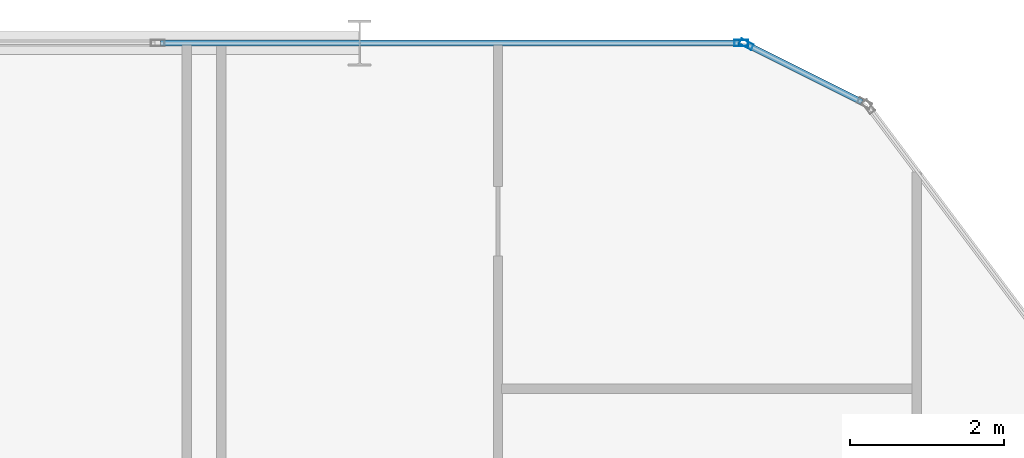
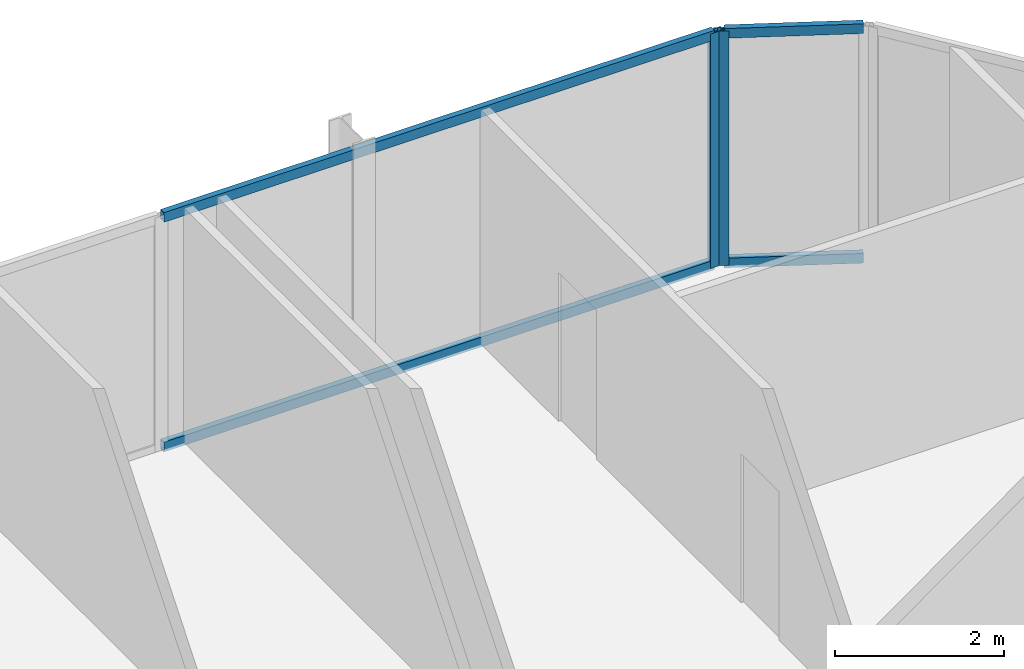
# One storey, part 20 of 30: 6 members, 2 elements without a shape of their own.
"""IFC4 building model written with IfcOpenShell, lengths in metres."""

from ifc_helpers import new_model, si_unit, direction, frame, origin, origin_2d, place, context, subcontext, project, spatial, hollow_rectangle, extrude, material, layer, layer_set, material_profile, profile_set, type_object, element, aggregate, save


model = new_model("IFC4")

# Units and contexts
model_context = context("Model", 3, precision=1e-05, world=origin(), true_north=direction((0.0, 1.0)))
body_context = subcontext(model_context, "Body", "Model", "MODEL_VIEW")
ifc_project = project(units=[si_unit("LENGTHUNIT", "METRE"), si_unit("AREAUNIT", "SQUARE_METRE"), si_unit("VOLUMEUNIT", "CUBIC_METRE"), si_unit("PLANEANGLEUNIT", "RADIAN"), si_unit("MASSUNIT", "GRAM", prefix="KILO")], contexts=[model_context])

# Site, building, storey
site_placement = place(None, origin())
site = spatial("IfcSite", under=ifc_project, at=site_placement, CompositionType="ELEMENT")
building_placement = place(site_placement, origin())
building = spatial("IfcBuilding", under=site, at=building_placement, Name="Keshet Zoharim Tower", CompositionType="ELEMENT")
storey_placement = place(building_placement, frame((0.0, 0.0, 113.10009765625)))
storey = spatial("IfcBuildingStorey", under=building, at=storey_placement, Name="L27", CompositionType="ELEMENT", Elevation=113.10009765625)

# Curtain wall, member
ifc_material = material(Name="Aluminium 6063-T6", Category="aluminium")
ifc_layer = layer(ifc_material, 0.159912109375)
ifc_layer_set = layer_set([ifc_layer], Name="Aluminium 6063-T6")
curtain_wall_type = type_object("IfcCurtainWallType", Name="CW-SYS-03", PredefinedType="NOTDEFINED", material=ifc_layer_set)
curtain_wall_1_placement = place(storey_placement, origin())
curtain_wall_1 = element("IfcCurtainWall", 1, at=curtain_wall_1_placement, inside=storey, type_object=curtain_wall_type, Name="L27 Unitised Curtain Wall 13 Part 5", PredefinedType="NOTDEFINED")
ifc_material_profile_1 = material_profile(ifc_material, hollow_rectangle(XDim=0.080078125, YDim=0.179931640625, WallThickness=0.00439453125, at=origin_2d()), Name="MUL-80x180")
ifc_profile_set_1 = profile_set([ifc_material_profile_1], Name="Aluminium 6063-T6")
member_type_1 = type_object("IfcMemberType", Name="CWM-M18", PredefinedType="MULLION", material=ifc_profile_set_1)
member_1_placement = place(storey_placement, frame((49.965087890625, 53.89990234375, 0.0), z_axis=(0.0, 0.0, 1.0), x_axis=(0.0, 1.0, 0.0)))
member_1 = element("IfcMember", 2, at=member_1_placement, type_object=member_type_1, Name="CW-03 mullion 3", PredefinedType="MULLION", context=body_context, shape_type="SweptSolid", body=[
    extrude(hollow_rectangle(XDim=0.080078125, YDim=0.179931640625, WallThickness=0.00439453125, at=origin_2d()), origin(), (0.0, 0.0, 1.0), 3.385009765625),
])

curtain_wall_2_placement = place(storey_placement, origin())
curtain_wall_2 = element("IfcCurtainWall", 3, at=curtain_wall_2_placement, inside=storey, type_object=curtain_wall_type, Name="L27 Unitised Curtain Wall 14", PredefinedType="NOTDEFINED")
member_2_placement = place(storey_placement, frame((50.03125, 53.88427734375, 0.0), z_axis=(0.0, 0.0, 1.0), x_axis=(0.447213595499, 0.894427191001, 0.0)))
member_2 = element("IfcMember", 4, at=member_2_placement, type_object=member_type_1, Name="CW-03 mullion 1", PredefinedType="MULLION", context=body_context, shape_type="SweptSolid", body=[
    extrude(hollow_rectangle(XDim=0.080078125, YDim=0.179931640625, WallThickness=0.00439453125, at=origin_2d()), origin(), (0.0, 0.0, 1.0), 3.385009765625),
])

# Member
ifc_material_profile_2 = material_profile(ifc_material, hollow_rectangle(XDim=0.080078125, YDim=0.139892578125, WallThickness=0.00390625, at=origin_2d()), Name="TRN-80x140")
ifc_profile_set_2 = profile_set([ifc_material_profile_2], Name="Aluminium 6063-T6")
member_type_2 = type_object("IfcMemberType", Name="CWT-T14", PredefinedType="USERDEFINED", material=ifc_profile_set_2)
member_3_placement = place(storey_placement, frame((42.408935546875, 53.89990234375, 0.034912109375), z_axis=(1.0, 0.0, 0.0), x_axis=(0.0, 1.0, 0.0)))
member_3 = element("IfcMember", 5, at=member_3_placement, type_object=member_type_2, Name="CW-03 transom 2.1", ObjectType="TRANSOM", PredefinedType="USERDEFINED", context=body_context, shape_type="SweptSolid", body=[
    extrude(hollow_rectangle(XDim=0.080078125, YDim=0.139892578125, WallThickness=0.00390625, at=origin_2d()), origin(), (0.0, 0.0, 1.0), 7.52099609375),
])

member_4_placement = place(storey_placement, frame((42.408935546875, 53.89990234375, 3.349853515625), z_axis=(1.0, 0.0, 0.0), x_axis=(0.0, 1.0, 0.0)))
member_4 = element("IfcMember", 6, at=member_4_placement, type_object=member_type_2, Name="CW-03 transom 2.2", ObjectType="TRANSOM", PredefinedType="USERDEFINED", context=body_context, shape_type="SweptSolid", body=[
    extrude(hollow_rectangle(XDim=0.080078125, YDim=0.139892578125, WallThickness=0.00390625, at=origin_2d()), origin(), (0.0, 0.0, 1.0), 7.52099609375),
])

aggregate(curtain_wall_1, [member_1, member_3, member_4])

member_5_placement = place(storey_placement, frame((50.0625, 53.86865234375, 0.034912109375), z_axis=(0.894456801911, -0.447154368775, 0.0), x_axis=(0.447154368775, 0.894456801911, 0.0)))
member_5 = element("IfcMember", 7, at=member_5_placement, type_object=member_type_2, Name="CW-03 transom 1.1", ObjectType="TRANSOM", PredefinedType="USERDEFINED", context=body_context, shape_type="SweptSolid", body=[
    extrude(hollow_rectangle(XDim=0.080078125, YDim=0.139892578125, WallThickness=0.00390625, at=origin_2d()), origin(), (0.0, 0.0, 1.0), 1.64892578125),
])

member_6_placement = place(storey_placement, frame((50.0625, 53.86865234375, 3.349853515625), z_axis=(0.894456801911, -0.447154368775, 0.0), x_axis=(0.447154368775, 0.894456801911, 0.0)))
member_6 = element("IfcMember", 8, at=member_6_placement, type_object=member_type_2, Name="CW-03 transom 1.2", ObjectType="TRANSOM", PredefinedType="USERDEFINED", context=body_context, shape_type="SweptSolid", body=[
    extrude(hollow_rectangle(XDim=0.080078125, YDim=0.139892578125, WallThickness=0.00390625, at=origin_2d()), origin(), (0.0, 0.0, 1.0), 1.64892578125),
])

aggregate(curtain_wall_2, [member_2, member_5, member_6])

save(model, "model.ifc")
